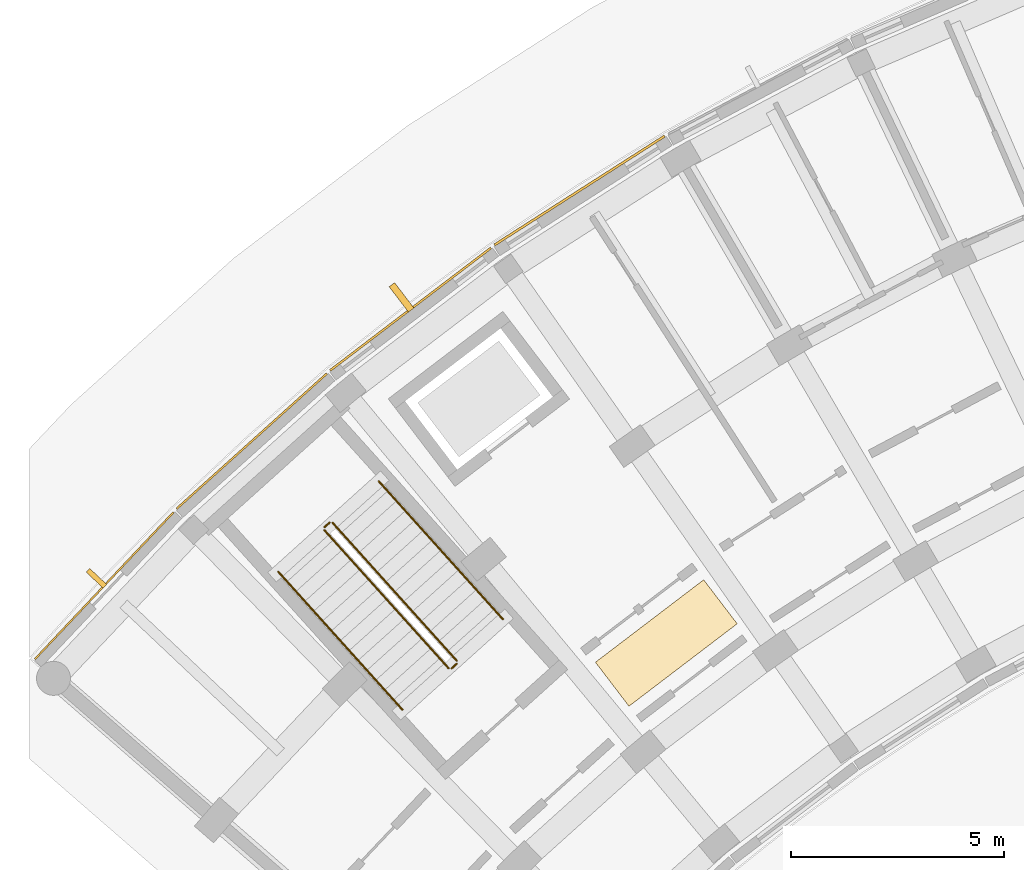
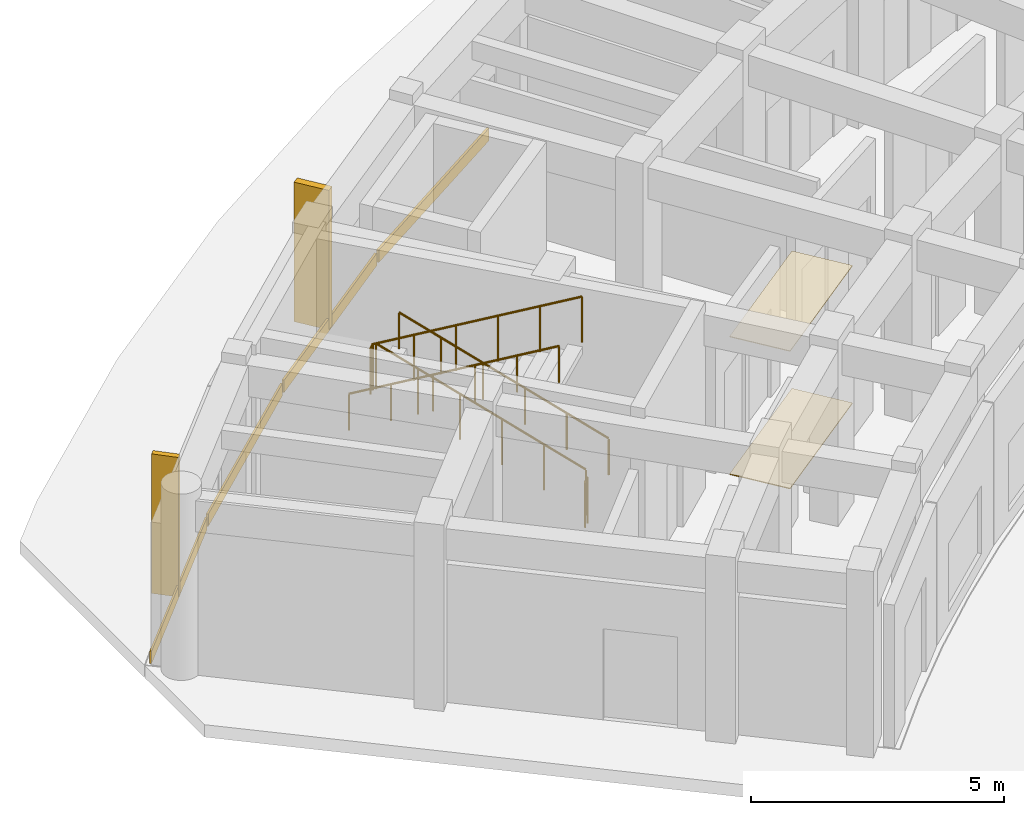
# One storey, part 52 of 61: 6 coverings, 6 railings, 2 shading devices.
"""IFC4 building model written with IfcOpenShell, lengths in metres."""

from ifc_helpers import new_model, si_unit, direction, frame, origin, origin_2d, place, context, subcontext, project, spatial, rectangle, circle, extrude, material, layer, layer_set, type_object, element, save


model = new_model("IFC4")

# Units and contexts
model_context = context("Model", 3, precision=1e-05, world=origin(), true_north=direction((0.0, 1.0)))
body_context = subcontext(model_context, "Body", "Model", "MODEL_VIEW")
ifc_project = project(units=[si_unit("LENGTHUNIT", "METRE"), si_unit("AREAUNIT", "SQUARE_METRE"), si_unit("VOLUMEUNIT", "CUBIC_METRE"), si_unit("PLANEANGLEUNIT", "RADIAN"), si_unit("MASSUNIT", "GRAM", prefix="KILO")], contexts=[model_context])

# Site, building, storey
site_placement = place(None, origin())
site = spatial("IfcSite", under=ifc_project, at=site_placement, CompositionType="ELEMENT")
building_placement = place(site_placement, origin())
building = spatial("IfcBuilding", under=site, at=building_placement, Name="Zimvara Arc Housing Community", CompositionType="ELEMENT")
storey_placement = place(building_placement, origin())
storey = spatial("IfcBuildingStorey", under=building, at=storey_placement, Name="L00", CompositionType="ELEMENT", Elevation=0.0)

# Coverings
ifc_material_1 = material(Name="Pale-Gold Anodised Aluminium Cladding", Category="aluminium")
ifc_layer_1 = layer(ifc_material_1, 0.0400390625)
ifc_layer_set_1 = layer_set([ifc_layer_1], Name="Pale-Gold Anodised Aluminium Cladding")
covering_type_1 = type_object("IfcCoveringType", Name="CLD-GOLD-01", PredefinedType="CLADDING", material=ifc_layer_set_1)
covering_1_placement = place(storey_placement, frame((1.756103515625, 85.307861328125, 0.009765625), z_axis=(0.0, 0.0, 1.0), x_axis=(0.686326266989, 0.727293788809, 0.0)))
element("IfcCovering", 1, at=covering_1_placement, inside=storey, type_object=covering_type_1, Name="cld:blkA:L00:out:b0", PredefinedType="CLADDING", context=body_context, shape_type="SweptSolid", body=[
    extrude(rectangle(XDim=4.748779296875, YDim=0.0400390625, at=origin_2d()), origin(), (0.0, 0.0, 1.0), 0.300048828125),
])
ifc_material_2 = material(Name="Pale-Gold Anodised Aluminium Cladding", Category="aluminium")
ifc_layer_2 = layer(ifc_material_2, 0.044921875)
ifc_layer_set_2 = layer_set([ifc_layer_2], Name="Pale-Gold Anodised Aluminium Cladding")
covering_type_2 = type_object("IfcCoveringType", Name="CLD-GOLD-02", PredefinedType="CLADDING", material=ifc_layer_set_2)
covering_2_placement = place(storey_placement, frame((5.224853515625, 88.705810546875, 0.009765625), z_axis=(0.0, 0.0, 1.0), x_axis=(0.74337718344, 0.668872456557, 0.0)))
element("IfcCovering", 2, at=covering_2_placement, inside=storey, type_object=covering_type_2, Name="cld:blkA:L00:out:b1", PredefinedType="CLADDING", context=body_context, shape_type="SweptSolid", body=[
    extrude(rectangle(XDim=4.748779296875, YDim=0.044921875, at=origin_2d()), origin(), (0.0, 0.0, 1.0), 0.300048828125),
])
ifc_material_3 = material(Name="Pale-Gold Anodised Aluminium Cladding", Category="aluminium")
ifc_layer_3 = layer(ifc_material_3, 0.050048828125)
ifc_layer_set_3 = layer_set([ifc_layer_3], Name="Pale-Gold Anodised Aluminium Cladding")
covering_type_3 = type_object("IfcCoveringType", Name="CLD-GOLD-03", PredefinedType="CLADDING", material=ifc_layer_set_3)
covering_3_placement = place(storey_placement, frame((8.959716796875, 91.8095703125, 0.009765625), z_axis=(0.0, 0.0, 1.0), x_axis=(0.795474538503, 0.605987011902, 0.0)))
element("IfcCovering", 3, at=covering_3_placement, inside=storey, type_object=covering_type_3, Name="cld:blkA:L00:out:b2", PredefinedType="CLADDING", context=body_context, shape_type="SweptSolid", body=[
    extrude(rectangle(XDim=4.748779296875, YDim=0.050048828125, at=origin_2d()), origin(), (0.0, 0.0, 1.0), 0.300048828125),
])
ifc_material_4 = material(Name="Pale-Gold Anodised Aluminium Cladding", Category="aluminium")
ifc_layer_4 = layer(ifc_material_4, 0.054931640625)
ifc_layer_set_4 = layer_set([ifc_layer_4], Name="Pale-Gold Anodised Aluminium Cladding")
covering_type_4 = type_object("IfcCoveringType", Name="CLD-GOLD-04", PredefinedType="CLADDING", material=ifc_layer_set_4)
covering_4_placement = place(storey_placement, frame((12.9345703125, 94.600830078125, 0.009765625), z_axis=(0.0, 0.0, 1.0), x_axis=(0.842265220048, 0.53906335351, 0.0)))
element("IfcCovering", 4, at=covering_4_placement, inside=storey, type_object=covering_type_4, Name="cld:blkA:L00:out:b3", PredefinedType="CLADDING", context=body_context, shape_type="SweptSolid", body=[
    extrude(rectangle(XDim=4.748779296875, YDim=0.054931640625, at=origin_2d()), origin(), (0.0, 0.0, 1.0), 0.300048828125),
])
ifc_material_5 = material(Name="Perforated Acoustic Ceiling Board")
ifc_layer_5 = layer(ifc_material_5, 0.01806640625)
ifc_layer_set_5 = layer_set([ifc_layer_5], Name="Perforated Acoustic Ceiling Board")
covering_type_5 = type_object("IfcCoveringType", Name="COV-CEIL-01", PredefinedType="CEILING", material=ifc_layer_set_5)
covering_5_placement = place(storey_placement, frame((14.974853515625, 83.959228515625, 3.322021484375), z_axis=(0.0, 0.0, 1.0), x_axis=(-0.605988400266, 0.795473480855, 0.0)))
element("IfcCovering", 5, at=covering_5_placement, inside=storey, type_object=covering_type_5, Name="ceil:blkA:L00", PredefinedType="CEILING", context=body_context, shape_type="SweptSolid", body=[
    extrude(rectangle(XDim=1.300048828125, YDim=3.199951171875, at=origin_2d()), origin(), (0.0, 0.0, 1.0), 0.01806640625),
])
ifc_material_6 = material(Name="Polished Coastal Sand Terrazzo")
ifc_layer_6 = layer(ifc_material_6, 0.02001953125)
ifc_layer_set_6 = layer_set([ifc_layer_6], Name="Polished Coastal Sand Terrazzo")
covering_type_6 = type_object("IfcCoveringType", Name="COV-FLOR-01", PredefinedType="FLOORING", material=ifc_layer_set_6)
covering_6_placement = place(storey_placement, frame((14.974853515625, 83.959228515625, 0.0), z_axis=(0.0, 0.0, 1.0), x_axis=(-0.605988400266, 0.795473480855, 0.0)))
element("IfcCovering", 6, at=covering_6_placement, inside=storey, type_object=covering_type_6, Name="flor:blkA:L00", PredefinedType="FLOORING", context=body_context, shape_type="SweptSolid", body=[
    extrude(rectangle(XDim=1.300048828125, YDim=3.199951171875, at=origin_2d()), origin(), (0.0, 0.0, 1.0), 0.02001953125),
])

# Railings
ifc_material_7 = material(Name="Anodised Aluminium AW-6063", Category="aluminium")
railing_type_1 = type_object("IfcRailingType", Name="RLG-BAL-1120", PredefinedType="BALUSTRADE", material=ifc_material_7)
railing_1_placement = place(storey_placement, frame((10.0478515625, 83.5400390625, 0.14990234375)))
element("IfcRailing", 7, at=railing_1_placement, inside=storey, type_object=railing_type_1, Name="L00 ST-A1 stair guard 1", PredefinedType="BALUSTRADE", context=body_context, shape_type="SweptSolid", body=[
    extrude(circle(Radius=0.02392578125, at=origin_2d()), frame((0.0, 0.0, 1.09619140625), z_axis=(-0.602817232675, 0.669964836181, 0.433311091792), x_axis=(-0.743377516842, -0.668872086018, 0.0)), (0.0, 0.0, 1.0), 4.8466796875),
    extrude(circle(Radius=0.02099609375, at=origin_2d()), origin(), (0.0, 0.0, 1.0), 1.072021484375),
    extrude(circle(Radius=0.02099609375, at=origin_2d()), frame((-0.584228515625, 0.6494140625, 0.419921875)), (0.0, 0.0, 1.0), 1.072021484375),
    extrude(circle(Radius=0.02099609375, at=origin_2d()), frame((-1.168701171875, 1.298828125, 0.840087890625)), (0.0, 0.0, 1.0), 1.072021484375),
    extrude(circle(Radius=0.02099609375, at=origin_2d()), frame((-1.7529296875, 1.9482421875, 1.260009765625)), (0.0, 0.0, 1.0), 1.072021484375),
    extrude(circle(Radius=0.02099609375, at=origin_2d()), frame((-2.33740234375, 2.59765625, 1.68017578125)), (0.0, 0.0, 1.0), 1.072021484375),
    extrude(circle(Radius=0.02099609375, at=origin_2d()), frame((-2.921630859375, 3.2470703125, 2.10009765625)), (0.0, 0.0, 1.0), 1.072021484375),
])
railing_2_placement = place(storey_placement, frame((7.0556640625, 86.790771484375, 2.25)))
element("IfcRailing", 8, at=railing_2_placement, inside=storey, type_object=railing_type_1, Name="L00 ST-A1 stair guard 2", PredefinedType="BALUSTRADE", context=body_context, shape_type="SweptSolid", body=[
    extrude(circle(Radius=0.02392578125, at=origin_2d()), frame((0.0, 0.0, 1.09619140625), z_axis=(-0.744203407529, -0.667953058397, 0.0), x_axis=(0.667953058397, -0.744203407529, 0.0)), (0.0, 0.0, 1.0), 0.16015625),
    extrude(circle(Radius=0.02099609375, at=origin_2d()), origin(), (0.0, 0.0, 1.0), 1.072021484375),
    extrude(circle(Radius=0.02099609375, at=origin_2d()), frame((-0.119140625, -0.10693359375, 0.0)), (0.0, 0.0, 1.0), 1.072021484375),
])
railing_3_placement = place(storey_placement, frame((6.932861328125, 86.613037109375, 2.39990234375)))
element("IfcRailing", 9, at=railing_3_placement, inside=storey, type_object=railing_type_1, Name="L00 ST-A1 stair guard 3", PredefinedType="BALUSTRADE", context=body_context, shape_type="SweptSolid", body=[
    extrude(circle(Radius=0.02392578125, at=origin_2d()), frame((0.0, 0.0, 1.09619140625), z_axis=(0.602817232675, -0.669964836181, 0.433311091792), x_axis=(0.743377516842, 0.668872086018, 0.0)), (0.0, 0.0, 1.0), 4.8466796875),
    extrude(circle(Radius=0.02099609375, at=origin_2d()), origin(), (0.0, 0.0, 1.0), 1.072021484375),
    extrude(circle(Radius=0.02099609375, at=origin_2d()), frame((0.584228515625, -0.6494140625, 0.419921875)), (0.0, 0.0, 1.0), 1.072021484375),
    extrude(circle(Radius=0.02099609375, at=origin_2d()), frame((1.168701171875, -1.298828125, 0.840087890625)), (0.0, 0.0, 1.0), 1.072021484375),
    extrude(circle(Radius=0.02099609375, at=origin_2d()), frame((1.7529296875, -1.9482421875, 1.260009765625)), (0.0, 0.0, 1.0), 1.072021484375),
    extrude(circle(Radius=0.02099609375, at=origin_2d()), frame((2.33740234375, -2.59765625, 1.68017578125)), (0.0, 0.0, 1.0), 1.072021484375),
    extrude(circle(Radius=0.02099609375, at=origin_2d()), frame((2.921630859375, -3.2470703125, 2.10009765625)), (0.0, 0.0, 1.0), 1.072021484375),
])
railing_4_placement = place(storey_placement, frame((10.0439453125, 83.469482421875, 0.0)))
element("IfcRailing", 10, at=railing_4_placement, inside=storey, type_object=railing_type_1, Name="L00 ST-A1 stair guard 4", PredefinedType="BALUSTRADE", context=body_context, shape_type="SweptSolid", body=[
    extrude(circle(Radius=0.02392578125, at=origin_2d()), frame((0.0, 0.0, 1.09619140625), z_axis=(-0.742763048172, -0.669554369913, 0.0), x_axis=(0.669554369913, -0.742763048172, 0.0)), (0.0, 0.0, 1.0), 0.16015625),
    extrude(circle(Radius=0.02099609375, at=origin_2d()), origin(), (0.0, 0.0, 1.0), 1.072021484375),
    extrude(circle(Radius=0.02099609375, at=origin_2d()), frame((-0.118896484375, -0.107177734375, 0.0)), (0.0, 0.0, 1.0), 1.072021484375),
])
ifc_material_8 = material(Name="Anodised Aluminium AW-6063", Category="aluminium")
railing_type_2 = type_object("IfcRailingType", Name="RLG-HND-900", PredefinedType="HANDRAIL", material=ifc_material_8)
railing_5_placement = place(storey_placement, frame((11.133056640625, 84.5166015625, 0.14990234375)))
element("IfcRailing", 11, at=railing_5_placement, inside=storey, type_object=railing_type_2, Name="L00 ST-A1 stair handrail 1", PredefinedType="HANDRAIL", context=body_context, shape_type="SweptSolid", body=[
    extrude(circle(Radius=0.02392578125, at=origin_2d()), frame((0.0, 0.0, 0.8759765625), z_axis=(-0.602817232675, 0.669964836181, 0.433311091792), x_axis=(-0.743377516842, -0.668872086018, 0.0)), (0.0, 0.0, 1.0), 4.8466796875),
    extrude(circle(Radius=0.02099609375, at=origin_2d()), origin(), (0.0, 0.0, 1.0), 0.851806640625),
    extrude(circle(Radius=0.02099609375, at=origin_2d()), frame((-0.584228515625, 0.6494140625, 0.419921875)), (0.0, 0.0, 1.0), 0.851806640625),
    extrude(circle(Radius=0.02099609375, at=origin_2d()), frame((-1.168701171875, 1.298828125, 0.840087890625)), (0.0, 0.0, 1.0), 0.851806640625),
    extrude(circle(Radius=0.02099609375, at=origin_2d()), frame((-1.7529296875, 1.9482421875, 1.260009765625)), (0.0, 0.0, 1.0), 0.851806640625),
    extrude(circle(Radius=0.02099609375, at=origin_2d()), frame((-2.33740234375, 2.59765625, 1.68017578125)), (0.0, 0.0, 1.0), 0.851806640625),
    extrude(circle(Radius=0.02099609375, at=origin_2d()), frame((-2.921630859375, 3.2470703125, 2.10009765625)), (0.0, 0.0, 1.0), 0.851806640625),
])
railing_6_placement = place(storey_placement, frame((5.84765625, 85.63671875, 2.39990234375)))
element("IfcRailing", 12, at=railing_6_placement, inside=storey, type_object=railing_type_2, Name="L00 ST-A1 stair handrail 2", PredefinedType="HANDRAIL", context=body_context, shape_type="SweptSolid", body=[
    extrude(circle(Radius=0.02392578125, at=origin_2d()), frame((0.0, 0.0, 0.8759765625), z_axis=(0.602796888861, -0.669992597873, 0.433296468454), x_axis=(0.743402521266, 0.668844295315, 0.0)), (0.0, 0.0, 1.0), 4.8466796875),
    extrude(circle(Radius=0.02099609375, at=origin_2d()), origin(), (0.0, 0.0, 1.0), 0.851806640625),
    extrude(circle(Radius=0.02099609375, at=origin_2d()), frame((0.584228515625, -0.6494140625, 0.419921875)), (0.0, 0.0, 1.0), 0.851806640625),
    extrude(circle(Radius=0.02099609375, at=origin_2d()), frame((1.168701171875, -1.298828125, 0.840087890625)), (0.0, 0.0, 1.0), 0.851806640625),
    extrude(circle(Radius=0.02099609375, at=origin_2d()), frame((1.7529296875, -1.948486328125, 1.260009765625)), (0.0, 0.0, 1.0), 0.851806640625),
    extrude(circle(Radius=0.02099609375, at=origin_2d()), frame((2.33740234375, -2.597900390625, 1.68017578125)), (0.0, 0.0, 1.0), 0.851806640625),
    extrude(circle(Radius=0.02099609375, at=origin_2d()), frame((2.921630859375, -3.247314453125, 2.10009765625)), (0.0, 0.0, 1.0), 0.851806640625),
])

# Shading devices
ifc_material_9 = material(Name="Board-Marked Fair-Faced Concrete C40/50", Category="concrete")
shading_device_type_1 = type_object("IfcShadingDeviceType", Name="SHD-FIN-01", PredefinedType="JALOUSIE", material=ifc_material_9)
shading_device_1_placement = place(storey_placement, frame((1.571533203125, 85.482177734375, 0.0400390625), z_axis=(0.0, 0.0, 1.0), x_axis=(0.686326266989, 0.727293788809, 0.0)))
element("IfcShadingDevice", 13, at=shading_device_1_placement, inside=storey, type_object=shading_device_type_1, Name="fin:blkA:L00:out:b0", PredefinedType="JALOUSIE", context=body_context, shape_type="SweptSolid", body=[
    extrude(rectangle(XDim=0.1201171875, YDim=0.550048828125, at=origin_2d()), origin(), (0.0, 0.0, 1.0), 3.3701171875),
])
ifc_material_10 = material(Name="Board-Marked Fair-Faced Concrete C40/50", Category="concrete")
shading_device_type_2 = type_object("IfcShadingDeviceType", Name="SHD-FIN-03", PredefinedType="JALOUSIE", material=ifc_material_10)
shading_device_2_placement = place(storey_placement, frame((8.748291015625, 92.087158203125, 0.0400390625), z_axis=(0.0, 0.0, 1.0), x_axis=(0.795474538503, 0.605987011902, 0.0)))
element("IfcShadingDevice", 14, at=shading_device_2_placement, inside=storey, type_object=shading_device_type_2, Name="fin:blkA:L00:out:b2", PredefinedType="JALOUSIE", context=body_context, shape_type="SweptSolid", body=[
    extrude(rectangle(XDim=0.159912109375, YDim=0.75, at=origin_2d()), origin(), (0.0, 0.0, 1.0), 3.3701171875),
])

save(model, "model.ifc")
